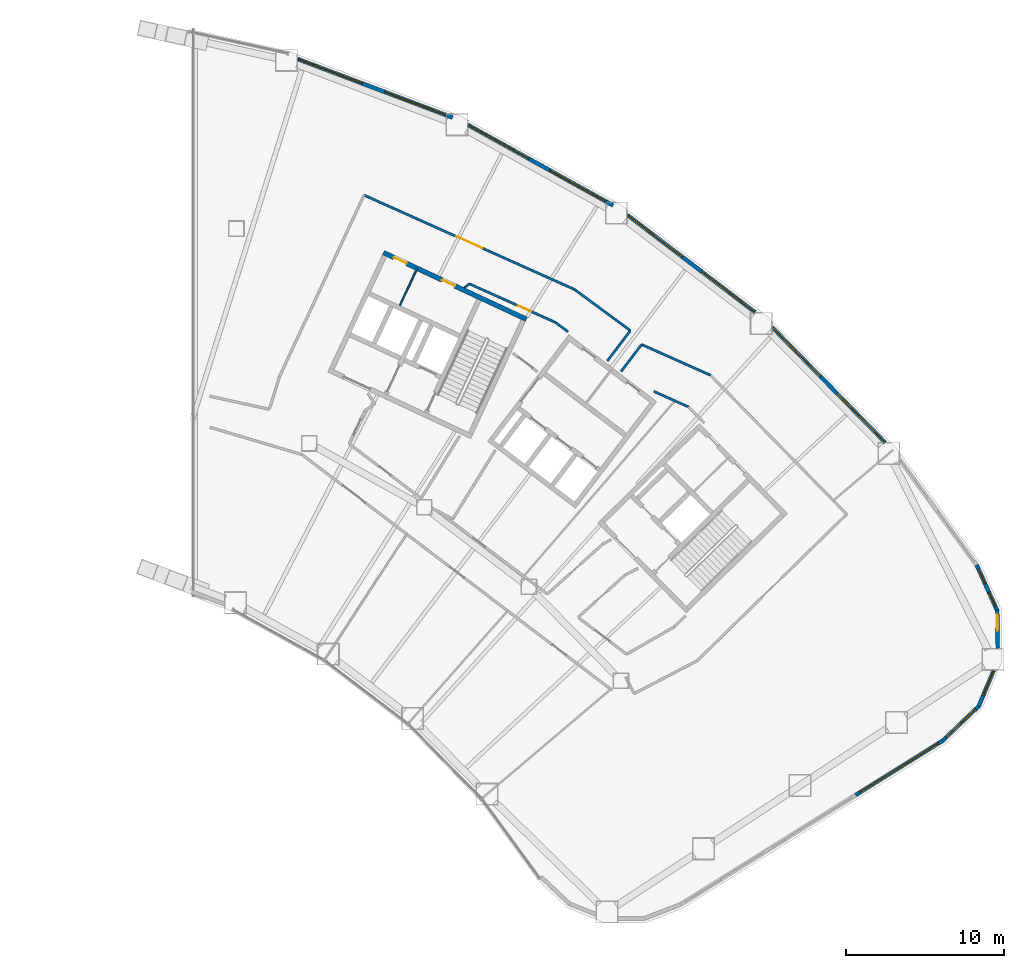
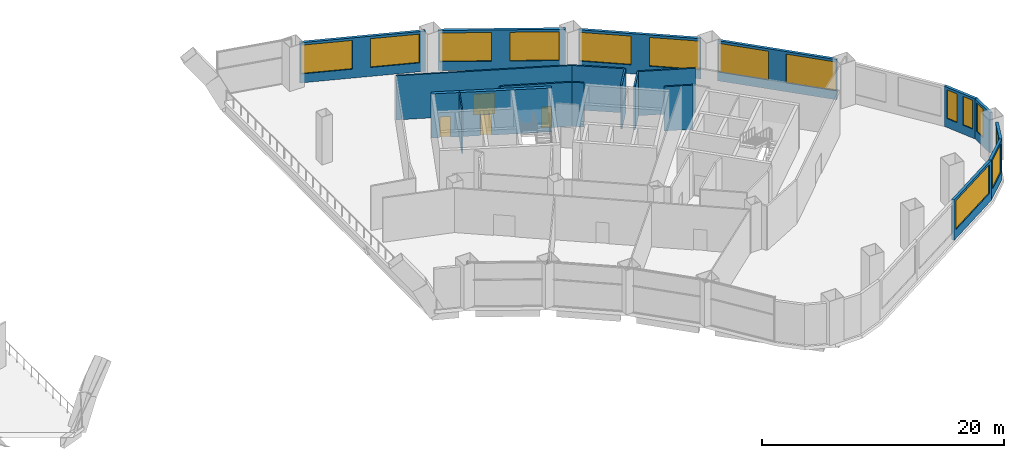
# One storey, part 17 of 20: 20 walls, 14 windows, 4 doors, 18 openings.
"""IFC4 building model written with IfcOpenShell, lengths in metres."""

import ifcopenshell
import ifcopenshell.guid

model = None  # the IFC model being written
_history = None  # IfcOwnerHistory: only IFC2X3 demands one
_inside = {}  # id of a spatial element -> (the spatial element, [elements in it])
_under = {}  # id of a project, library or spatial element -> (it, [spatial elements below it])
_declared = {}  # id of a project -> (the project, [libraries it declares])
_typed = {}  # id of a type object -> (the type object, [elements of that type])
_made_of = {}  # id of a material, layer set ... -> (it, [elements and type objects made of it])


def new_model(schema):
    """Start an empty IFC model of exactly this schema.

    Asked for "IFC4X3", IfcOpenShell would pick the latest addendum, in which some entities
    have other attributes; the version numbers below select the first issue.
    IFC2X3 requires an IfcOwnerHistory on every rooted entity: one is made here for all.
    """
    global model, _history
    if schema == "IFC4X3":
        model = ifcopenshell.file(schema_version=(4, 3, 0, 0))
    else:
        model = ifcopenshell.file(schema=schema)
    _inside.clear()
    _under.clear()
    _declared.clear()
    _typed.clear()
    _made_of.clear()
    _history = None
    if model.schema == "IFC2X3":
        org = make("IfcOrganization", Name="unknown")
        user = make(
            "IfcPersonAndOrganization",
            ThePerson=make("IfcPerson", FamilyName="unknown"),
            TheOrganization=org,
        )
        app = make(
            "IfcApplication",
            ApplicationDeveloper=org,
            Version="unknown",
            ApplicationFullName="unknown",
            ApplicationIdentifier="unknown",
        )
        _history = make(
            "IfcOwnerHistory",
            OwningUser=user,
            OwningApplication=app,
            ChangeAction="ADDED",
            CreationDate=0,
        )
    return model


def make(cls, **values):
    """One entity of the class cls with the attributes given. An attribute that is None is left unset."""
    return model.create_entity(
        cls, **{name: value for name, value in values.items() if value is not None}
    )


def rooted(cls, **values):
    """An entity with a GlobalId (a new one), such as an element, a storey or a relation."""
    return make(cls, GlobalId=ifcopenshell.guid.new(), OwnerHistory=_history, **values)


def si_unit(unit_type, name, prefix=None):
    """IfcSIUnit, for example si_unit("LENGTHUNIT", "METRE", prefix="MILLI")."""
    return make("IfcSIUnit", UnitType=unit_type, Prefix=prefix, Name=name)


def assignment(units):
    """IfcUnitAssignment: the units of a project."""
    return None if units is None else make("IfcUnitAssignment", Units=units)


def point(xyz):
    """IfcCartesianPoint."""
    return None if xyz is None else make("IfcCartesianPoint", Coordinates=xyz)


def direction(xyz):
    """IfcDirection."""
    return None if xyz is None else make("IfcDirection", DirectionRatios=xyz)


def frame(location, z_axis=None, x_axis=None):
    """IfcAxis2Placement3D, a coordinate frame: its origin and axes. An axis left out is left unset."""
    return make(
        "IfcAxis2Placement3D",
        Location=point(location),
        Axis=direction(z_axis),
        RefDirection=direction(x_axis),
    )


def frame_2d(location, x_axis=None):
    """IfcAxis2Placement2D, a coordinate frame in the plane: its origin and x axis."""
    return make(
        "IfcAxis2Placement2D", Location=point(location), RefDirection=direction(x_axis)
    )


def origin():
    """The frame at (0, 0, 0) with its axes left unset."""
    return frame((0.0, 0.0, 0.0))


def place(relative_to, where):
    """IfcLocalPlacement: puts the frame where relative to a parent placement (None: the world)."""
    return make(
        "IfcLocalPlacement", PlacementRelTo=relative_to, RelativePlacement=where
    )


def context(
    kind, dimensions, precision=None, world=None, true_north=None, identifier=None
):
    """IfcGeometricRepresentationContext, for example the 3D "Model" context."""
    return make(
        "IfcGeometricRepresentationContext",
        ContextIdentifier=identifier,
        ContextType=kind,
        CoordinateSpaceDimension=dimensions,
        Precision=precision,
        WorldCoordinateSystem=world,
        TrueNorth=true_north,
    )


def subcontext(parent, identifier, kind, view, scale=None):
    """IfcGeometricRepresentationSubContext, for example "Body" below "Model"."""
    return make(
        "IfcGeometricRepresentationSubContext",
        ContextIdentifier=identifier,
        ContextType=kind,
        ParentContext=parent,
        TargetScale=scale,
        TargetView=view,
    )


def project(units=None, contexts=None):
    """IfcProject with its units and contexts."""
    return rooted(
        "IfcProject",
        Name="project",
        RepresentationContexts=contexts,
        UnitsInContext=assignment(units),
    )


def spatial(cls, under=None, at=None, **own):
    """A site, building, storey or space (cls), placed at a placement, below another one or the project."""
    s = rooted(cls, ObjectPlacement=at, **own)
    if under is not None:
        _under.setdefault(under.id(), (under, []))[1].append(s)
    return s


def profile(cls, at=None, kind="AREA", **sizes):
    """A parametric profile (cls). Its sizes go by their IFC names, for example OverallWidth=200.0."""
    return make(cls, ProfileType=kind, Position=at, **sizes)


def rectangle(**sizes):
    """IfcRectangleProfileDef."""
    return profile("IfcRectangleProfileDef", **sizes)


def extrude(swept, where, along, depth):
    """IfcExtrudedAreaSolid: the profile swept, set in the frame where, extruded along a direction by depth."""
    return make(
        "IfcExtrudedAreaSolid",
        SweptArea=swept,
        Position=where,
        ExtrudedDirection=direction(along),
        Depth=depth,
    )


def shape(context_of_items, identifier, shape_type, items):
    """IfcShapeRepresentation: the items that make up one representation, for example the "Body"."""
    return make(
        "IfcShapeRepresentation",
        ContextOfItems=context_of_items,
        RepresentationIdentifier=identifier,
        RepresentationType=shape_type,
        Items=items,
    )


def material(Name=None, Category=None):
    """IfcMaterial."""
    return make("IfcMaterial", Name=Name, Category=Category)


def layer(
    of_material, thickness, ventilated=None, Name=None, Category=None, Priority=None
):
    """IfcMaterialLayer: one layer of a wall or slab, of a material (None: an air gap)."""
    return make(
        "IfcMaterialLayer",
        Material=of_material,
        LayerThickness=thickness,
        IsVentilated=ventilated,
        Name=Name,
        Category=Category,
        Priority=Priority,
    )


def layer_set(layers, Name=None):
    """IfcMaterialLayerSet."""
    return make("IfcMaterialLayerSet", MaterialLayers=layers, LayerSetName=Name)


def made_of(thing, what):
    """Note that an element or type object is made of a material, layer set ...; save() writes the relation."""
    if what is not None:
        _made_of.setdefault(what.id(), (what, []))[1].append(thing)
    return thing


def type_object(cls, material=None, **own):
    """A type object (cls), such as IfcWallType, which elements share."""
    return made_of(rooted(cls, **own), material)


def element(
    cls,
    number,
    at=None,
    inside=None,
    cuts=None,
    type_object=None,
    material=None,
    context=None,
    identifier="Body",
    shape_type=None,
    held_by="IfcProductDefinitionShape",
    body=None,
    shapes=None,
    **own,
):
    """One element of the class cls, such as IfcWall. Its Tag is "e" and its number.

    at: its placement. inside: the storey or other place that contains it. cuts: it is an
    opening in that element (IfcRelVoidsElement). A single representation is given by context,
    identifier, shape_type and body (its items); several are given by shapes. held_by: the class
    of the entity that holds the representations. save() writes the other relations.
    """
    e = rooted(cls, Tag="e%d" % number, ObjectPlacement=at, **own)
    if body is not None:
        shapes = [shape(context, identifier, shape_type, body)]
    if shapes is not None:
        e.Representation = make(held_by, Representations=shapes)
    if inside is not None:
        _inside.setdefault(inside.id(), (inside, []))[1].append(e)
    if cuts is not None:
        rooted(
            "IfcRelVoidsElement", RelatingBuildingElement=cuts, RelatedOpeningElement=e
        )
    if type_object is not None:
        _typed.setdefault(type_object.id(), (type_object, []))[1].append(e)
    return made_of(e, material)


def fill(opening, filler):
    """IfcRelFillsElement: the door or window that sits in an opening."""
    return rooted(
        "IfcRelFillsElement",
        RelatingOpeningElement=opening,
        RelatedBuildingElement=filler,
    )


def aggregate(whole, parts):
    """IfcRelAggregates: a whole, such as a stair, and the parts it consists of."""
    return rooted("IfcRelAggregates", RelatingObject=whole, RelatedObjects=parts)


def save(model, path):
    """Write the relations noted so far, then the file.

    IfcRelAggregates (storeys below a building ...), IfcRelContainedInSpatialStructure (elements
    in a storey), IfcRelDefinesByType, IfcRelAssociatesMaterial and IfcRelDeclares: one each for
    every whole, place, type object, material and project.
    """
    for whole, parts in _under.values():
        aggregate(whole, parts)
    for where, things in _inside.values():
        rooted(
            "IfcRelContainedInSpatialStructure",
            RelatedElements=things,
            RelatingStructure=where,
        )
    for kind, things in _typed.values():
        rooted("IfcRelDefinesByType", RelatedObjects=things, RelatingType=kind)
    for what, things in _made_of.values():
        rooted("IfcRelAssociatesMaterial", RelatedObjects=things, RelatingMaterial=what)
    for by, libraries in _declared.values():
        rooted("IfcRelDeclares", RelatingContext=by, RelatedDefinitions=libraries)
    model.write(path)


model = new_model("IFC4")

# Units and contexts
model_context = context("Model", 3, precision=1e-05, world=origin(), true_north=direction((0.0, 1.0)))
body_context = subcontext(model_context, "Body", "Model", "MODEL_VIEW")
ifc_project = project(units=[si_unit("LENGTHUNIT", "METRE"), si_unit("AREAUNIT", "SQUARE_METRE"), si_unit("VOLUMEUNIT", "CUBIC_METRE"), si_unit("PLANEANGLEUNIT", "RADIAN"), si_unit("MASSUNIT", "GRAM", prefix="KILO")], contexts=[model_context])

# Site, building, storey
site_placement = place(None, origin())
site = spatial("IfcSite", under=ifc_project, at=site_placement, CompositionType="ELEMENT")
building_placement = place(site_placement, origin())
building = spatial("IfcBuilding", under=site, at=building_placement, Name="Tuul Gate Civic Tower", CompositionType="ELEMENT")
storey_placement = place(building_placement, frame((0.0, 0.0, 12.300048828125)))
storey = spatial("IfcBuildingStorey", under=building, at=storey_placement, Name="Level 02", CompositionType="ELEMENT", Elevation=12.300048828125)

# Wall, openings, doors
ifc_material_1 = material(Name="Concrete C50/60", Category="concrete")
ifc_layer_1 = layer(ifc_material_1, 0.300048828125)
ifc_layer_set_1 = layer_set([ifc_layer_1], Name="Concrete C50/60")
wall_type_1 = type_object("IfcWallType", Name="Core wall C50/60", PredefinedType="SHEAR", material=ifc_layer_set_1)
wall_1_placement = place(storey_placement, frame((37.993408203125, 0.181884765625, 0.0), z_axis=(0.0, 0.0, 1.0), x_axis=(-0.906310338845, 0.422612789327, 0.0)))
wall_1 = element("IfcWall", 1, at=wall_1_placement, inside=storey, type_object=wall_type_1, Name="Core wall", PredefinedType="SHEAR", context=body_context, shape_type="SweptSolid", body=[
    extrude(rectangle(XDim=9.999755859375, YDim=0.300048828125, at=frame_2d((5.0, 0.0))), origin(), (0.0, 0.0, 1.0), 4.449951171875),
])
opening_1_placement = place(wall_1_placement, frame((4.99365234375, 0.0, 0.0)))
opening_1 = element("IfcOpeningElement", 2, at=opening_1_placement, cuts=wall_1, Name="Opening QB-D28", PredefinedType="OPENING", context=body_context, shape_type="SweptSolid", body=[
    extrude(rectangle(XDim=0.89990234375, YDim=2.10009765625, at=frame_2d((0.449951171875, 1.050048828125))), frame((0.0, 0.16015625, 0.0), z_axis=(0.0, -1.0, 0.0), x_axis=(1.0, 0.0, 0.0)), (0.0, 0.0, 1.0), 0.320068359375),
])
opening_2_placement = place(wall_1_placement, frame((8.368896484375, 0.0, 0.0)))
opening_2 = element("IfcOpeningElement", 3, at=opening_2_placement, cuts=wall_1, Name="Opening QB-D29", PredefinedType="OPENING", context=body_context, shape_type="SweptSolid", body=[
    extrude(rectangle(XDim=0.89990234375, YDim=2.10009765625, at=frame_2d((0.449951171875, 1.050048828125))), frame((0.0, 0.16015625, 0.0), z_axis=(0.0, -1.0, 0.0), x_axis=(1.0, 0.0, 0.0)), (0.0, 0.0, 1.0), 0.320068359375),
])
ifc_material_2 = material(Name="Timber door leaf", Category="wood")
door_type_1 = type_object("IfcDoorType", Name="Door D09", OperationType="NOTDEFINED", PredefinedType="DOOR", material=ifc_material_2)
door_1_placement = place(opening_1_placement, origin())
door_1 = element("IfcDoor", 4, at=door_1_placement, inside=storey, type_object=door_type_1, Name="Door QB-D28", OperationType="SINGLE_SWING_LEFT", OverallHeight=2.10009765625, OverallWidth=0.89990234375, PredefinedType="DOOR", context=body_context, shape_type="SweptSolid", body=[
    extrude(rectangle(XDim=0.89990234375, YDim=2.10009765625, at=frame_2d((0.449951171875, 1.050048828125))), frame((0.0, 0.02490234375, 0.0), z_axis=(0.0, -1.0, 0.0), x_axis=(1.0, 0.0, 0.0)), (0.0, 0.0, 1.0), 0.050048828125),
])
fill(opening_1, door_1)
door_2_placement = place(opening_2_placement, origin())
door_2 = element("IfcDoor", 5, at=door_2_placement, inside=storey, type_object=door_type_1, Name="Door QB-D29", OperationType="SINGLE_SWING_RIGHT", OverallHeight=2.10009765625, OverallWidth=0.89990234375, PredefinedType="DOOR", context=body_context, shape_type="SweptSolid", body=[
    extrude(rectangle(XDim=0.89990234375, YDim=2.10009765625, at=frame_2d((0.449951171875, 1.050048828125))), frame((0.0, 0.02490234375, 0.0), z_axis=(0.0, -1.0, 0.0), x_axis=(1.0, 0.0, 0.0)), (0.0, 0.0, 1.0), 0.050048828125),
])
fill(opening_2, door_2)

# Walls
ifc_material_3 = material(Name="Gypsum board partition")
ifc_layer_2 = layer(ifc_material_3, 0.14990234375)
ifc_layer_set_2 = layer_set([ifc_layer_2], Name="Gypsum board partition")
wall_type_2 = type_object("IfcWallType", Name="Corridor wall P150", PredefinedType="PARTITIONING", material=ifc_layer_set_2)
wall_2_placement = place(storey_placement, frame((45.297119140625, -1.416259765625, 0.0), z_axis=(0.0, 0.0, 1.0), x_axis=(0.913026514746, -0.407900212516, 0.0)))
element("IfcWall", 6, at=wall_2_placement, inside=storey, type_object=wall_type_2, Name="p004", PredefinedType="PARTITIONING", context=body_context, shape_type="SweptSolid", body=[
    extrude(rectangle(XDim=4.781005859375, YDim=0.14990234375, at=frame_2d((2.390625, 0.0))), origin(), (0.0, 0.0, 1.0), 4.449951171875),
])
wall_3_placement = place(storey_placement, frame((43.994384765625, -3.126708984375, 0.0), z_axis=(0.0, 0.0, 1.0), x_axis=(0.605673527057, 0.795713251506, 0.0)))
element("IfcWall", 7, at=wall_3_placement, inside=storey, type_object=wall_type_2, Name="p005", PredefinedType="PARTITIONING", context=body_context, shape_type="SweptSolid", body=[
    extrude(rectangle(XDim=2.149169921875, YDim=0.14990234375, at=frame_2d((1.07470703125, 0.0))), origin(), (0.0, 0.0, 1.0), 4.449951171875),
])
wall_4_placement = place(storey_placement, frame((43.119140625, -2.460205078125, 0.0), z_axis=(0.0, 0.0, 1.0), x_axis=(0.605751162386, 0.795654151794, 0.0)))
element("IfcWall", 8, at=wall_4_placement, inside=storey, type_object=wall_type_2, Name="p006", PredefinedType="PARTITIONING", context=body_context, shape_type="SweptSolid", body=[
    extrude(rectangle(XDim=2.418212890625, YDim=0.14990234375, at=frame_2d((1.208984375, 0.0))), origin(), (0.0, 0.0, 1.0), 4.449951171875),
])
wall_5_placement = place(storey_placement, frame((41.042724609375, 2.071044921875, 0.0), z_axis=(0.0, 0.0, 1.0), x_axis=(0.805378119805, -0.592761405744, 0.0)))
element("IfcWall", 9, at=wall_5_placement, inside=storey, type_object=wall_type_2, Name="p007", PredefinedType="PARTITIONING", context=body_context, shape_type="SweptSolid", body=[
    extrude(rectangle(XDim=4.396728515625, YDim=0.14990234375, at=frame_2d((2.1982421875, 0.0))), origin(), (0.0, 0.0, 1.0), 4.449951171875),
])

# Wall, opening, door
wall_6_placement = place(storey_placement, frame((27.705078125, 8.04931640625, 0.0), z_axis=(0.0, 0.0, 1.0), x_axis=(0.912531254813, -0.409006979146, 0.0)))
wall_6 = element("IfcWall", 10, at=wall_6_placement, inside=storey, type_object=wall_type_2, Name="p008", PredefinedType="PARTITIONING", context=body_context, shape_type="SweptSolid", body=[
    extrude(rectangle(XDim=14.61474609375, YDim=0.14990234375, at=frame_2d((7.307373046875, 0.0))), origin(), (0.0, 0.0, 1.0), 4.449951171875),
])
opening_3_placement = place(wall_6_placement, frame((6.4072265625, 0.0, 0.0)))
opening_3 = element("IfcOpeningElement", 11, at=opening_3_placement, cuts=wall_6, Name="Opening QB-D01", PredefinedType="OPENING", context=body_context, shape_type="SweptSolid", body=[
    extrude(rectangle(XDim=1.800048828125, YDim=2.10009765625, at=frame_2d((0.89990234375, 1.050048828125))), frame((0.0, 0.0849609375, 0.0), z_axis=(0.0, -1.0, 0.0), x_axis=(1.0, 0.0, 0.0)), (0.0, 0.0, 1.0), 0.169921875),
])
ifc_material_4 = material(Name="Timber door leaf, double", Category="wood")
door_type_2 = type_object("IfcDoorType", Name="Door D18", OperationType="DOUBLE_DOOR_SINGLE_SWING", PredefinedType="DOOR", material=ifc_material_4)
door_3_placement = place(opening_3_placement, origin())
door_3 = element("IfcDoor", 12, at=door_3_placement, inside=storey, type_object=door_type_2, Name="Door QB-D01", OperationType="DOUBLE_DOOR_SINGLE_SWING", OverallHeight=2.10009765625, OverallWidth=1.800048828125, PredefinedType="DOOR", context=body_context, shape_type="SweptSolid", body=[
    extrude(rectangle(XDim=1.800048828125, YDim=2.10009765625, at=frame_2d((0.89990234375, 1.050048828125))), frame((0.0, 0.02490234375, 0.0), z_axis=(0.0, -1.0, 0.0), x_axis=(1.0, 0.0, 0.0)), (0.0, 0.0, 1.0), 0.050048828125),
])
fill(opening_3, door_3)

wall_7_placement = place(storey_placement, frame((34.380615234375, 2.42724609375, 0.0), z_axis=(0.0, 0.0, 1.0), x_axis=(0.912536189307, -0.408995969669, 0.0)))
wall_7 = element("IfcWall", 13, at=wall_7_placement, inside=storey, type_object=wall_type_2, Name="p051", PredefinedType="PARTITIONING", context=body_context, shape_type="SweptSolid", body=[
    extrude(rectangle(XDim=5.965087890625, YDim=0.14990234375, at=frame_2d((2.982421875, 0.0))), origin(), (0.0, 0.0, 1.0), 4.449951171875),
])
opening_4_placement = place(wall_7_placement, frame((3.383056640625, 0.0, 0.0)))
opening_4 = element("IfcOpeningElement", 14, at=opening_4_placement, cuts=wall_7, Name="Opening QB-D13", PredefinedType="OPENING", context=body_context, shape_type="SweptSolid", body=[
    extrude(rectangle(XDim=0.89990234375, YDim=2.10009765625, at=frame_2d((0.449951171875, 1.050048828125))), frame((0.0, 0.0849609375, 0.0), z_axis=(0.0, -1.0, 0.0), x_axis=(1.0, 0.0, 0.0)), (0.0, 0.0, 1.0), 0.169921875),
])
door_4_placement = place(opening_4_placement, origin())
door_4 = element("IfcDoor", 15, at=door_4_placement, inside=storey, type_object=door_type_1, Name="Door QB-D13", OperationType="SINGLE_SWING_RIGHT", OverallHeight=2.10009765625, OverallWidth=0.89990234375, PredefinedType="DOOR", context=body_context, shape_type="SweptSolid", body=[
    extrude(rectangle(XDim=0.89990234375, YDim=2.10009765625, at=frame_2d((0.449951171875, 1.050048828125))), frame((0.0, 0.02490234375, 0.0), z_axis=(0.0, -1.0, 0.0), x_axis=(1.0, 0.0, 0.0)), (0.0, 0.0, 1.0), 0.050048828125),
])
fill(opening_4, door_4)

# Walls
wall_8_placement = place(storey_placement, frame((39.82861328125, -0.01513671875, 0.0), z_axis=(0.0, 0.0, 1.0), x_axis=(0.805276920328, -0.592898879732, 0.0)))
element("IfcWall", 16, at=wall_8_placement, inside=storey, type_object=wall_type_2, Name="p052", PredefinedType="PARTITIONING", context=body_context, shape_type="SweptSolid", body=[
    extrude(rectangle(XDim=0.9990234375, YDim=0.14990234375, at=frame_2d((0.49951171875, 0.0))), origin(), (0.0, 0.0, 1.0), 4.449951171875),
])
wall_9_placement = place(storey_placement, frame((46.069091796875, -4.389404296875, 0.0), z_axis=(0.0, 0.0, 1.0), x_axis=(0.912918689685, -0.40814147795, 0.0)))
element("IfcWall", 17, at=wall_9_placement, inside=storey, type_object=wall_type_2, Name="p060", PredefinedType="PARTITIONING", context=body_context, shape_type="SweptSolid", body=[
    extrude(rectangle(XDim=2.40771484375, YDim=0.14990234375, at=frame_2d((1.203857421875, 0.0))), origin(), (0.0, 0.0, 1.0), 4.449951171875),
])

# Wall, opening, window
ifc_material_5 = material(Name="Precast concrete C40/50", Category="concrete")
ifc_layer_3 = layer(ifc_material_5, 0.25)
ifc_layer_set_3 = layer_set([ifc_layer_3], Name="Precast concrete C40/50")
wall_type_3 = type_object("IfcWallType", Name="External wall", PredefinedType="STANDARD", material=ifc_layer_set_3)
wall_10_placement = place(storey_placement, frame((64.36962890625, -26.53076171875, 0.0), z_axis=(0.0, 0.0, 1.0), x_axis=(0.722378510216, 0.69149785826, 0.0)))
wall_10 = element("IfcWall", 18, at=wall_10_placement, inside=storey, type_object=wall_type_3, Name="External wall", PredefinedType="STANDARD", context=body_context, shape_type="SweptSolid", body=[
    extrude(rectangle(XDim=3.201904296875, YDim=0.25, at=frame_2d((1.60107421875, 0.0))), origin(), (0.0, 0.0, 1.0), 4.050048828125),
])
opening_5_placement = place(wall_10_placement, frame((0.301025390625, 0.0, 0.89990234375)))
opening_5 = element("IfcOpeningElement", 19, at=opening_5_placement, cuts=wall_10, Name="Opening W8", PredefinedType="OPENING", context=body_context, shape_type="SweptSolid", body=[
    extrude(rectangle(XDim=2.60009765625, YDim=2.89990234375, at=frame_2d((1.300048828125, 1.449951171875))), frame((0.0, 0.135009765625, 0.0), z_axis=(0.0, -1.0, 0.0), x_axis=(1.0, 0.0, 0.0)), (0.0, 0.0, 1.0), 0.27001953125),
])
ifc_material_6 = material(Name="Glass", Category="glass")
window_type_1 = type_object("IfcWindowType", Name="Window W8 2600 x 2900", PartitioningType="SINGLE_PANEL", PredefinedType="WINDOW", material=ifc_material_6)
window_1_placement = place(opening_5_placement, origin())
window_1 = element("IfcWindow", 20, at=window_1_placement, inside=storey, type_object=window_type_1, Name="Window", OverallHeight=2.89990234375, OverallWidth=2.60009765625, PartitioningType="SINGLE_PANEL", PredefinedType="WINDOW", context=body_context, shape_type="SweptSolid", body=[
    extrude(rectangle(XDim=2.60009765625, YDim=2.89990234375, at=frame_2d((1.300048828125, 1.449951171875))), frame((0.0, 0.030029296875, 0.0), z_axis=(0.0, -1.0, 0.0), x_axis=(1.0, 0.0, 0.0)), (0.0, 0.0, 1.0), 0.06005859375),
])
fill(opening_5, window_1)

wall_11_placement = place(storey_placement, frame((66.653564453125, -24.35888671875, 0.0), z_axis=(0.0, 0.0, 1.0), x_axis=(0.38573160677, 0.922611038054, 0.0)))
wall_11 = element("IfcWall", 21, at=wall_11_placement, inside=storey, type_object=wall_type_3, Name="External wall", PredefinedType="STANDARD", context=body_context, shape_type="SweptSolid", body=[
    extrude(rectangle(XDim=2.484130859375, YDim=0.25, at=frame_2d((1.2421875, 0.0))), origin(), (0.0, 0.0, 1.0), 4.050048828125),
])
opening_6_placement = place(wall_11_placement, frame((0.7509765625, 0.0, 0.89990234375)))
opening_6 = element("IfcOpeningElement", 22, at=opening_6_placement, cuts=wall_11, Name="Opening W9", PredefinedType="OPENING", context=body_context, shape_type="SweptSolid", body=[
    extrude(rectangle(XDim=1.699951171875, YDim=2.89990234375, at=frame_2d((0.85009765625, 1.449951171875))), frame((0.0, 0.135009765625, 0.0), z_axis=(0.0, -1.0, 0.0), x_axis=(1.0, 0.0, 0.0)), (0.0, 0.0, 1.0), 0.27001953125),
])
ifc_material_7 = material(Name="Glass", Category="glass")
window_type_2 = type_object("IfcWindowType", Name="Window W9 1700 x 2900", PartitioningType="SINGLE_PANEL", PredefinedType="WINDOW", material=ifc_material_7)
window_2_placement = place(opening_6_placement, origin())
window_2 = element("IfcWindow", 23, at=window_2_placement, inside=storey, type_object=window_type_2, Name="Window", OverallHeight=2.89990234375, OverallWidth=1.699951171875, PartitioningType="SINGLE_PANEL", PredefinedType="WINDOW", context=body_context, shape_type="SweptSolid", body=[
    extrude(rectangle(XDim=1.699951171875, YDim=2.89990234375, at=frame_2d((0.85009765625, 1.449951171875))), frame((0.0, 0.030029296875, 0.0), z_axis=(0.0, -1.0, 0.0), x_axis=(1.0, 0.0, 0.0)), (0.0, 0.0, 1.0), 0.06005859375),
])
fill(opening_6, window_2)

wall_12_placement = place(storey_placement, frame((67.867431640625, -20.6669921875, 0.0), z_axis=(0.0, 0.0, 1.0), x_axis=(-0.014662663038, 0.999892497378, 0.0)))
wall_12 = element("IfcWall", 24, at=wall_12_placement, inside=storey, type_object=wall_type_3, Name="External wall", PredefinedType="STANDARD", context=body_context, shape_type="SweptSolid", body=[
    extrude(rectangle(XDim=2.414306640625, YDim=0.25, at=frame_2d((1.20703125, 0.0))), origin(), (0.0, 0.0, 1.0), 4.050048828125),
])
opening_7_placement = place(wall_12_placement, frame((1.11376953125, 0.0, 0.89990234375)))
opening_7 = element("IfcOpeningElement", 25, at=opening_7_placement, cuts=wall_12, Name="Opening W10", PredefinedType="OPENING", context=body_context, shape_type="SweptSolid", body=[
    extrude(rectangle(XDim=1.0, YDim=2.89990234375, at=frame_2d((0.5, 1.449951171875))), frame((0.0, 0.135009765625, 0.0), z_axis=(0.0, -1.0, 0.0), x_axis=(1.0, 0.0, 0.0)), (0.0, 0.0, 1.0), 0.27001953125),
])
ifc_material_8 = material(Name="Glass", Category="glass")
window_type_3 = type_object("IfcWindowType", Name="Window W10 1000 x 2900", PartitioningType="SINGLE_PANEL", PredefinedType="WINDOW", material=ifc_material_8)
window_3_placement = place(opening_7_placement, origin())
window_3 = element("IfcWindow", 26, at=window_3_placement, inside=storey, type_object=window_type_3, Name="Window", OverallHeight=2.89990234375, OverallWidth=1.0, PartitioningType="SINGLE_PANEL", PredefinedType="WINDOW", context=body_context, shape_type="SweptSolid", body=[
    extrude(rectangle(XDim=1.0, YDim=2.89990234375, at=frame_2d((0.5, 1.449951171875))), frame((0.0, 0.030029296875, 0.0), z_axis=(0.0, -1.0, 0.0), x_axis=(1.0, 0.0, 0.0)), (0.0, 0.0, 1.0), 0.06005859375),
])
fill(opening_7, window_3)

# Wall, openings, windows
wall_13_placement = place(storey_placement, frame((67.843017578125, -18.302490234375, 0.0), z_axis=(0.0, 0.0, 1.0), x_axis=(-0.412481289983, 0.910966072592, 0.0)))
wall_13 = element("IfcWall", 27, at=wall_13_placement, inside=storey, type_object=wall_type_3, Name="External wall", PredefinedType="STANDARD", context=body_context, shape_type="SweptSolid", body=[
    extrude(rectangle(XDim=3.2021484375, YDim=0.25, at=frame_2d((1.60107421875, 0.0))), origin(), (0.0, 0.0, 1.0), 4.050048828125),
])
opening_8_placement = place(wall_13_placement, frame((0.300537109375, 0.0, 0.89990234375)))
opening_8 = element("IfcOpeningElement", 28, at=opening_8_placement, cuts=wall_13, Name="Opening W10", PredefinedType="OPENING", context=body_context, shape_type="SweptSolid", body=[
    extrude(rectangle(XDim=1.0, YDim=2.89990234375, at=frame_2d((0.5, 1.449951171875))), frame((0.0, 0.135009765625, 0.0), z_axis=(0.0, -1.0, 0.0), x_axis=(1.0, 0.0, 0.0)), (0.0, 0.0, 1.0), 0.27001953125),
])
opening_9_placement = place(wall_13_placement, frame((1.901611328125, 0.0, 0.89990234375)))
opening_9 = element("IfcOpeningElement", 29, at=opening_9_placement, cuts=wall_13, Name="Opening W10", PredefinedType="OPENING", context=body_context, shape_type="SweptSolid", body=[
    extrude(rectangle(XDim=1.0, YDim=2.89990234375, at=frame_2d((0.5, 1.449951171875))), frame((0.0, 0.135009765625, 0.0), z_axis=(0.0, -1.0, 0.0), x_axis=(1.0, 0.0, 0.0)), (0.0, 0.0, 1.0), 0.27001953125),
])
window_4_placement = place(opening_8_placement, origin())
window_4 = element("IfcWindow", 30, at=window_4_placement, inside=storey, type_object=window_type_3, Name="Window", OverallHeight=2.89990234375, OverallWidth=1.0, PartitioningType="SINGLE_PANEL", PredefinedType="WINDOW", context=body_context, shape_type="SweptSolid", body=[
    extrude(rectangle(XDim=1.0, YDim=2.89990234375, at=frame_2d((0.5, 1.449951171875))), frame((0.0, 0.030029296875, 0.0), z_axis=(0.0, -1.0, 0.0), x_axis=(1.0, 0.0, 0.0)), (0.0, 0.0, 1.0), 0.06005859375),
])
fill(opening_8, window_4)
window_5_placement = place(opening_9_placement, origin())
window_5 = element("IfcWindow", 31, at=window_5_placement, inside=storey, type_object=window_type_3, Name="Window", OverallHeight=2.89990234375, OverallWidth=1.0, PartitioningType="SINGLE_PANEL", PredefinedType="WINDOW", context=body_context, shape_type="SweptSolid", body=[
    extrude(rectangle(XDim=1.0, YDim=2.89990234375, at=frame_2d((0.5, 1.449951171875))), frame((0.0, 0.030029296875, 0.0), z_axis=(0.0, -1.0, 0.0), x_axis=(1.0, 0.0, 0.0)), (0.0, 0.0, 1.0), 0.06005859375),
])
fill(opening_9, window_5)

wall_14_placement = place(storey_placement, frame((60.72998046875, -7.6279296875, 0.0), z_axis=(0.0, 0.0, 1.0), x_axis=(-0.700010487511, 0.714132562886, 0.0)))
wall_14 = element("IfcWall", 32, at=wall_14_placement, inside=storey, type_object=wall_type_3, Name="External wall", PredefinedType="STANDARD", context=body_context, shape_type="SweptSolid", body=[
    extrude(rectangle(XDim=10.217041015625, YDim=0.25, at=frame_2d((5.1083984375, 0.0))), origin(), (0.0, 0.0, 1.0), 4.050048828125),
])
opening_10_placement = place(wall_14_placement, frame((0.05908203125, 0.0, 0.89990234375)))
opening_10 = element("IfcOpeningElement", 33, at=opening_10_placement, cuts=wall_14, Name="Opening W13", PredefinedType="OPENING", context=body_context, shape_type="SweptSolid", body=[
    extrude(rectangle(XDim=4.300048828125, YDim=2.89990234375, at=frame_2d((2.14990234375, 1.449951171875))), frame((0.0, 0.135009765625, 0.0), z_axis=(0.0, -1.0, 0.0), x_axis=(1.0, 0.0, 0.0)), (0.0, 0.0, 1.0), 0.27001953125),
])
opening_11_placement = place(wall_14_placement, frame((5.864501953125, 0.0, 0.89990234375)))
opening_11 = element("IfcOpeningElement", 34, at=opening_11_placement, cuts=wall_14, Name="Opening W13", PredefinedType="OPENING", context=body_context, shape_type="SweptSolid", body=[
    extrude(rectangle(XDim=4.300048828125, YDim=2.89990234375, at=frame_2d((2.14990234375, 1.449951171875))), frame((0.0, 0.135009765625, 0.0), z_axis=(0.0, -1.0, 0.0), x_axis=(1.0, 0.0, 0.0)), (0.0, 0.0, 1.0), 0.27001953125),
])
ifc_material_9 = material(Name="Glass", Category="glass")
window_type_4 = type_object("IfcWindowType", Name="Window W13 4300 x 2900", PartitioningType="SINGLE_PANEL", PredefinedType="WINDOW", material=ifc_material_9)
window_6_placement = place(opening_10_placement, origin())
window_6 = element("IfcWindow", 35, at=window_6_placement, inside=storey, type_object=window_type_4, Name="Window", OverallHeight=2.89990234375, OverallWidth=4.300048828125, PartitioningType="SINGLE_PANEL", PredefinedType="WINDOW", context=body_context, shape_type="SweptSolid", body=[
    extrude(rectangle(XDim=4.300048828125, YDim=2.89990234375, at=frame_2d((2.14990234375, 1.449951171875))), frame((0.0, 0.030029296875, 0.0), z_axis=(0.0, -1.0, 0.0), x_axis=(1.0, 0.0, 0.0)), (0.0, 0.0, 1.0), 0.06005859375),
])
fill(opening_10, window_6)
window_7_placement = place(opening_11_placement, origin())
window_7 = element("IfcWindow", 36, at=window_7_placement, inside=storey, type_object=window_type_4, Name="Window", OverallHeight=2.89990234375, OverallWidth=4.300048828125, PartitioningType="SINGLE_PANEL", PredefinedType="WINDOW", context=body_context, shape_type="SweptSolid", body=[
    extrude(rectangle(XDim=4.300048828125, YDim=2.89990234375, at=frame_2d((2.14990234375, 1.449951171875))), frame((0.0, 0.030029296875, 0.0), z_axis=(0.0, -1.0, 0.0), x_axis=(1.0, 0.0, 0.0)), (0.0, 0.0, 1.0), 0.06005859375),
])
fill(opening_11, window_7)

wall_15_placement = place(storey_placement, frame((52.495361328125, 0.617919921875, 0.0), z_axis=(0.0, 0.0, 1.0), x_axis=(-0.795598395873, 0.605824390796, 0.0)))
wall_15 = element("IfcWall", 37, at=wall_15_placement, inside=storey, type_object=wall_type_3, Name="External wall", PredefinedType="STANDARD", context=body_context, shape_type="SweptSolid", body=[
    extrude(rectangle(XDim=10.186279296875, YDim=0.25, at=frame_2d((5.09326171875, 0.0))), origin(), (0.0, 0.0, 1.0), 4.050048828125),
])
opening_12_placement = place(wall_15_placement, frame((0.0849609375, 0.0, 0.89990234375)))
opening_12 = element("IfcOpeningElement", 38, at=opening_12_placement, cuts=wall_15, Name="Opening W84", PredefinedType="OPENING", context=body_context, shape_type="SweptSolid", body=[
    extrude(rectangle(XDim=4.199951171875, YDim=2.89990234375, at=frame_2d((2.10009765625, 1.449951171875))), frame((0.0, 0.135009765625, 0.0), z_axis=(0.0, -1.0, 0.0), x_axis=(1.0, 0.0, 0.0)), (0.0, 0.0, 1.0), 0.27001953125),
])
opening_13_placement = place(wall_15_placement, frame((5.797607421875, 0.0, 0.89990234375)))
opening_13 = element("IfcOpeningElement", 39, at=opening_13_placement, cuts=wall_15, Name="Opening W13", PredefinedType="OPENING", context=body_context, shape_type="SweptSolid", body=[
    extrude(rectangle(XDim=4.300048828125, YDim=2.89990234375, at=frame_2d((2.14990234375, 1.449951171875))), frame((0.0, 0.135009765625, 0.0), z_axis=(0.0, -1.0, 0.0), x_axis=(1.0, 0.0, 0.0)), (0.0, 0.0, 1.0), 0.27001953125),
])
window_8_placement = place(opening_13_placement, origin())
window_8 = element("IfcWindow", 40, at=window_8_placement, inside=storey, type_object=window_type_4, Name="Window", OverallHeight=2.89990234375, OverallWidth=4.300048828125, PartitioningType="SINGLE_PANEL", PredefinedType="WINDOW", context=body_context, shape_type="SweptSolid", body=[
    extrude(rectangle(XDim=4.300048828125, YDim=2.89990234375, at=frame_2d((2.14990234375, 1.449951171875))), frame((0.0, 0.030029296875, 0.0), z_axis=(0.0, -1.0, 0.0), x_axis=(1.0, 0.0, 0.0)), (0.0, 0.0, 1.0), 0.06005859375),
])
fill(opening_13, window_8)
ifc_material_10 = material(Name="Glass", Category="glass")
window_type_5 = type_object("IfcWindowType", Name="Window W84 4200 x 2900", PartitioningType="SINGLE_PANEL", PredefinedType="WINDOW", material=ifc_material_10)
window_9_placement = place(opening_12_placement, origin())
window_9 = element("IfcWindow", 41, at=window_9_placement, inside=storey, type_object=window_type_5, Name="Window", OverallHeight=2.89990234375, OverallWidth=4.199951171875, PartitioningType="SINGLE_PANEL", PredefinedType="WINDOW", context=body_context, shape_type="SweptSolid", body=[
    extrude(rectangle(XDim=4.199951171875, YDim=2.89990234375, at=frame_2d((2.10009765625, 1.449951171875))), frame((0.0, 0.030029296875, 0.0), z_axis=(0.0, -1.0, 0.0), x_axis=(1.0, 0.0, 0.0)), (0.0, 0.0, 1.0), 0.06005859375),
])
fill(opening_12, window_9)

wall_16_placement = place(storey_placement, frame((43.48388671875, 7.39990234375, 0.0), z_axis=(0.0, 0.0, 1.0), x_axis=(-0.874646654652, 0.48476100246, 0.0)))
wall_16 = element("IfcWall", 42, at=wall_16_placement, inside=storey, type_object=wall_type_3, Name="External wall", PredefinedType="STANDARD", context=body_context, shape_type="SweptSolid", body=[
    extrude(rectangle(XDim=10.50927734375, YDim=0.25, at=frame_2d((5.254638671875, 0.0))), origin(), (0.0, 0.0, 1.0), 4.050048828125),
])
opening_14_placement = place(wall_16_placement, frame((0.5380859375, 0.0, 0.89990234375)))
opening_14 = element("IfcOpeningElement", 43, at=opening_14_placement, cuts=wall_16, Name="Opening W85", PredefinedType="OPENING", context=body_context, shape_type="SweptSolid", body=[
    extrude(rectangle(XDim=4.050048828125, YDim=2.89990234375, at=frame_2d((2.02490234375, 1.449951171875))), frame((0.0, 0.135009765625, 0.0), z_axis=(0.0, -1.0, 0.0), x_axis=(1.0, 0.0, 0.0)), (0.0, 0.0, 1.0), 0.27001953125),
])
opening_15_placement = place(wall_16_placement, frame((6.108642578125, 0.0, 0.89990234375)))
opening_15 = element("IfcOpeningElement", 44, at=opening_15_placement, cuts=wall_16, Name="Opening W13", PredefinedType="OPENING", context=body_context, shape_type="SweptSolid", body=[
    extrude(rectangle(XDim=4.300048828125, YDim=2.89990234375, at=frame_2d((2.14990234375, 1.449951171875))), frame((0.0, 0.135009765625, 0.0), z_axis=(0.0, -1.0, 0.0), x_axis=(1.0, 0.0, 0.0)), (0.0, 0.0, 1.0), 0.27001953125),
])
window_10_placement = place(opening_15_placement, origin())
window_10 = element("IfcWindow", 45, at=window_10_placement, inside=storey, type_object=window_type_4, Name="Window", OverallHeight=2.89990234375, OverallWidth=4.300048828125, PartitioningType="SINGLE_PANEL", PredefinedType="WINDOW", context=body_context, shape_type="SweptSolid", body=[
    extrude(rectangle(XDim=4.300048828125, YDim=2.89990234375, at=frame_2d((2.14990234375, 1.449951171875))), frame((0.0, 0.030029296875, 0.0), z_axis=(0.0, -1.0, 0.0), x_axis=(1.0, 0.0, 0.0)), (0.0, 0.0, 1.0), 0.06005859375),
])
fill(opening_15, window_10)
ifc_material_11 = material(Name="Glass", Category="glass")
window_type_6 = type_object("IfcWindowType", Name="Window W85 4050 x 2900", PartitioningType="SINGLE_PANEL", PredefinedType="WINDOW", material=ifc_material_11)
window_11_placement = place(opening_14_placement, origin())
window_11 = element("IfcWindow", 46, at=window_11_placement, inside=storey, type_object=window_type_6, Name="Window", OverallHeight=2.89990234375, OverallWidth=4.050048828125, PartitioningType="SINGLE_PANEL", PredefinedType="WINDOW", context=body_context, shape_type="SweptSolid", body=[
    extrude(rectangle(XDim=4.050048828125, YDim=2.89990234375, at=frame_2d((2.02490234375, 1.449951171875))), frame((0.0, 0.030029296875, 0.0), z_axis=(0.0, -1.0, 0.0), x_axis=(1.0, 0.0, 0.0)), (0.0, 0.0, 1.0), 0.06005859375),
])
fill(opening_14, window_11)

wall_17_placement = place(storey_placement, frame((33.31689453125, 12.962158203125, 0.0), z_axis=(0.0, 0.0, 1.0), x_axis=(-0.935356101005, 0.353707455833, 0.0)))
wall_17 = element("IfcWall", 47, at=wall_17_placement, inside=storey, type_object=wall_type_3, Name="External wall", PredefinedType="STANDARD", context=body_context, shape_type="SweptSolid", body=[
    extrude(rectangle(XDim=10.50390625, YDim=0.25, at=frame_2d((5.251953125, 0.0))), origin(), (0.0, 0.0, 1.0), 4.050048828125),
])
opening_16_placement = place(wall_17_placement, frame((0.4990234375, 0.0, 0.89990234375)))
opening_16 = element("IfcOpeningElement", 48, at=opening_16_placement, cuts=wall_17, Name="Opening W86", PredefinedType="OPENING", context=body_context, shape_type="SweptSolid", body=[
    extrude(rectangle(XDim=4.10009765625, YDim=2.89990234375, at=frame_2d((2.050048828125, 1.449951171875))), frame((0.0, 0.135009765625, 0.0), z_axis=(0.0, -1.0, 0.0), x_axis=(1.0, 0.0, 0.0)), (0.0, 0.0, 1.0), 0.27001953125),
])
opening_17_placement = place(wall_17_placement, frame((6.108642578125, 0.0, 0.89990234375)))
opening_17 = element("IfcOpeningElement", 49, at=opening_17_placement, cuts=wall_17, Name="Opening W13", PredefinedType="OPENING", context=body_context, shape_type="SweptSolid", body=[
    extrude(rectangle(XDim=4.300048828125, YDim=2.89990234375, at=frame_2d((2.14990234375, 1.449951171875))), frame((0.0, 0.135009765625, 0.0), z_axis=(0.0, -1.0, 0.0), x_axis=(1.0, 0.0, 0.0)), (0.0, 0.0, 1.0), 0.27001953125),
])
window_12_placement = place(opening_17_placement, origin())
window_12 = element("IfcWindow", 50, at=window_12_placement, inside=storey, type_object=window_type_4, Name="Window", OverallHeight=2.89990234375, OverallWidth=4.300048828125, PartitioningType="SINGLE_PANEL", PredefinedType="WINDOW", context=body_context, shape_type="SweptSolid", body=[
    extrude(rectangle(XDim=4.300048828125, YDim=2.89990234375, at=frame_2d((2.14990234375, 1.449951171875))), frame((0.0, 0.030029296875, 0.0), z_axis=(0.0, -1.0, 0.0), x_axis=(1.0, 0.0, 0.0)), (0.0, 0.0, 1.0), 0.06005859375),
])
fill(opening_17, window_12)
ifc_material_12 = material(Name="Glass", Category="glass")
window_type_7 = type_object("IfcWindowType", Name="Window W86 4100 x 2900", PartitioningType="SINGLE_PANEL", PredefinedType="WINDOW", material=ifc_material_12)
window_13_placement = place(opening_16_placement, origin())
window_13 = element("IfcWindow", 51, at=window_13_placement, inside=storey, type_object=window_type_7, Name="Window", OverallHeight=2.89990234375, OverallWidth=4.10009765625, PartitioningType="SINGLE_PANEL", PredefinedType="WINDOW", context=body_context, shape_type="SweptSolid", body=[
    extrude(rectangle(XDim=4.10009765625, YDim=2.89990234375, at=frame_2d((2.050048828125, 1.449951171875))), frame((0.0, 0.030029296875, 0.0), z_axis=(0.0, -1.0, 0.0), x_axis=(1.0, 0.0, 0.0)), (0.0, 0.0, 1.0), 0.06005859375),
])
fill(opening_16, window_13)

# Wall, opening, window
wall_18_placement = place(storey_placement, frame((58.8525390625, -29.975341796875, 0.0), z_axis=(0.0, 0.0, 1.0), x_axis=(0.84801510827, 0.529972052232, 0.0)))
wall_18 = element("IfcWall", 52, at=wall_18_placement, inside=storey, type_object=wall_type_3, Name="External wall", PredefinedType="STANDARD", context=body_context, shape_type="SweptSolid", body=[
    extrude(rectangle(XDim=6.529541015625, YDim=0.25, at=frame_2d((3.2646484375, 0.0))), origin(), (0.0, 0.0, 1.0), 4.050048828125),
])
opening_18_placement = place(wall_18_placement, frame((0.314697265625, 0.0, 0.89990234375)))
opening_18 = element("IfcOpeningElement", 53, at=opening_18_placement, cuts=wall_18, Name="Opening W14", PredefinedType="OPENING", context=body_context, shape_type="SweptSolid", body=[
    extrude(rectangle(XDim=5.89990234375, YDim=2.89990234375, at=frame_2d((2.949951171875, 1.449951171875))), frame((0.0, 0.135009765625, 0.0), z_axis=(0.0, -1.0, 0.0), x_axis=(1.0, 0.0, 0.0)), (0.0, 0.0, 1.0), 0.27001953125),
])
ifc_material_13 = material(Name="Glass", Category="glass")
window_type_8 = type_object("IfcWindowType", Name="Window W14 5900 x 2900", PartitioningType="SINGLE_PANEL", PredefinedType="WINDOW", material=ifc_material_13)
window_14_placement = place(opening_18_placement, origin())
window_14 = element("IfcWindow", 54, at=window_14_placement, inside=storey, type_object=window_type_8, Name="Window", OverallHeight=2.89990234375, OverallWidth=5.89990234375, PartitioningType="SINGLE_PANEL", PredefinedType="WINDOW", context=body_context, shape_type="SweptSolid", body=[
    extrude(rectangle(XDim=5.89990234375, YDim=2.89990234375, at=frame_2d((2.949951171875, 1.449951171875))), frame((0.0, 0.030029296875, 0.0), z_axis=(0.0, -1.0, 0.0), x_axis=(1.0, 0.0, 0.0)), (0.0, 0.0, 1.0), 0.06005859375),
])
fill(opening_18, window_14)

# Walls
ifc_material_14 = material(Name="Gypsum board partition")
ifc_layer_4 = layer(ifc_material_14, 0.10009765625)
ifc_layer_set_4 = layer_set([ifc_layer_4], Name="Gypsum board partition")
wall_type_4 = type_object("IfcWallType", Name="Partition P100", PredefinedType="PARTITIONING", material=ifc_layer_set_4)
wall_19_placement = place(storey_placement, frame((34.380615234375, 2.42724609375, 0.0), z_axis=(0.0, 0.0, 1.0), x_axis=(-0.798843563316, -0.601538827798, 0.0)))
element("IfcWall", 55, at=wall_19_placement, inside=storey, type_object=wall_type_4, Name="p077", PredefinedType="PARTITIONING", context=body_context, shape_type="SweptSolid", body=[
    extrude(rectangle(XDim=0.40576171875, YDim=0.10009765625, at=frame_2d((0.202880859375, 0.0))), origin(), (0.0, 0.0, 1.0), 4.449951171875),
])
wall_20_placement = place(storey_placement, frame((29.972900390625, 1.052978515625, 0.0), z_axis=(0.0, 0.0, 1.0), x_axis=(0.422556439746, 0.906336612539, 0.0)))
element("IfcWall", 56, at=wall_20_placement, inside=storey, type_object=wall_type_4, Name="bE3-BAND-0", PredefinedType="PARTITIONING", context=body_context, shape_type="SweptSolid", body=[
    extrude(rectangle(XDim=2.599853515625, YDim=0.10009765625, at=frame_2d((1.2998046875, 0.0))), origin(), (0.0, 0.0, 1.0), 4.449951171875),
])

save(model, "model.ifc")
